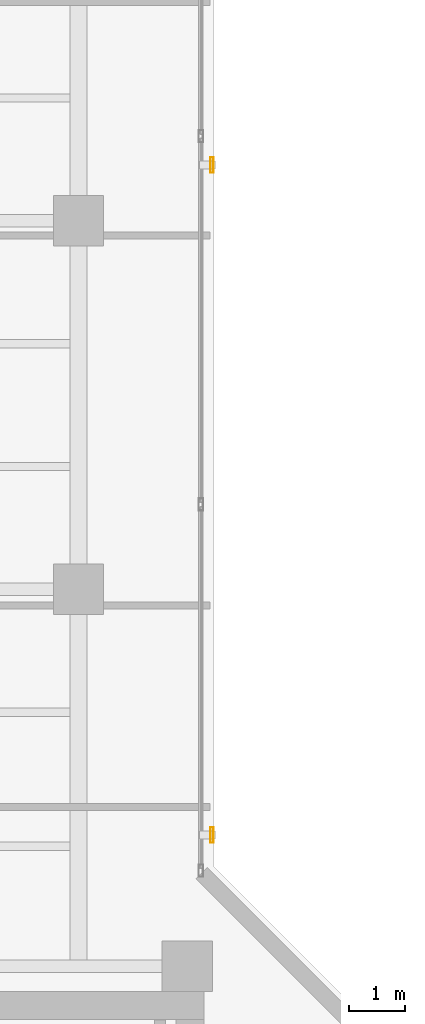
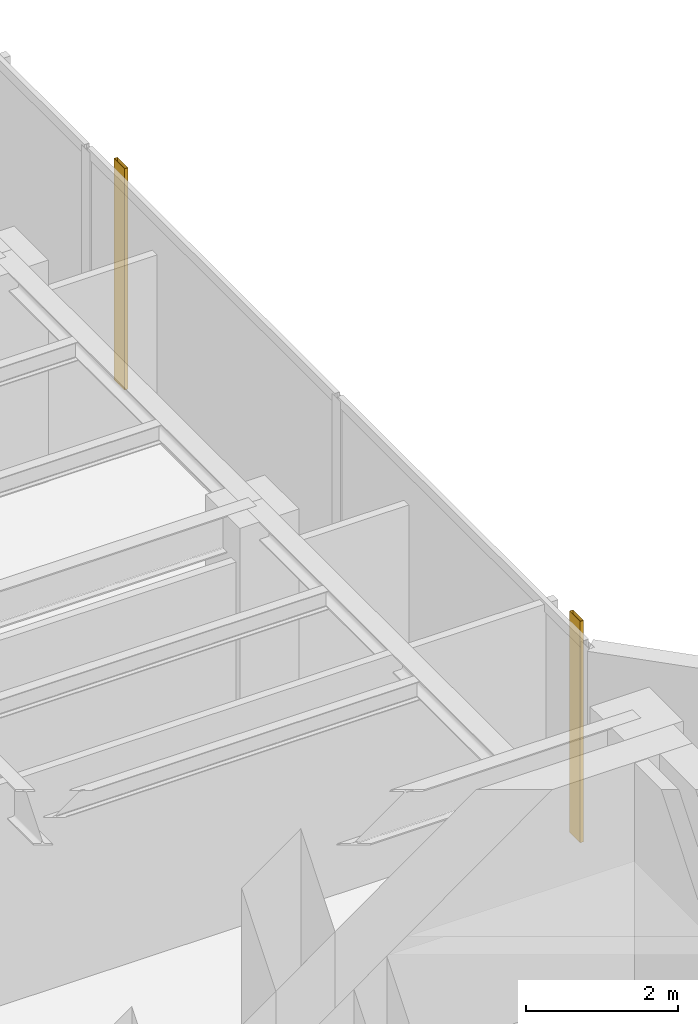
# One storey, part 22 of 22: 2 shading devices.
"""IFC4 building model written with IfcOpenShell, lengths in metres."""

from ifc_helpers import new_model, si_unit, direction, frame, origin, origin_2d, place, context, subcontext, project, spatial, hollow_rectangle, extrude, material, material_profile, profile_set, type_object, element, save


model = new_model("IFC4")

# Units and contexts
model_context = context("Model", 3, precision=1e-05, world=origin(), true_north=direction((0.0, 1.0)))
body_context = subcontext(model_context, "Body", "Model", "MODEL_VIEW")
ifc_project = project(units=[si_unit("LENGTHUNIT", "METRE"), si_unit("AREAUNIT", "SQUARE_METRE"), si_unit("VOLUMEUNIT", "CUBIC_METRE"), si_unit("PLANEANGLEUNIT", "RADIAN"), si_unit("MASSUNIT", "GRAM", prefix="KILO")], contexts=[model_context])

# Site, building, storey
site_placement = place(None, origin())
site = spatial("IfcSite", under=ifc_project, at=site_placement, CompositionType="ELEMENT")
building_placement = place(site_placement, origin())
building = spatial("IfcBuilding", under=site, at=building_placement, Name="Kolvaren Waterfront Exchange", CompositionType="ELEMENT")
storey_placement = place(building_placement, frame((0.0, 0.0, 323.60009765625)))
storey = spatial("IfcBuildingStorey", under=building, at=storey_placement, Name="L83", CompositionType="ELEMENT", Elevation=323.60009765625)

# Shading devices
ifc_material = material(Name="Anodised bronze aluminium 6063-T6", Category="aluminium")
ifc_material_profile = material_profile(ifc_material, hollow_rectangle(XDim=0.054931640625, YDim=0.280029296875, WallThickness=0.00439453125, at=origin_2d()), Name="BRZ-FIN-280x55x4.5")
ifc_profile_set = profile_set([ifc_material_profile], Name="Anodised bronze aluminium 6063-T6")
shading_device_type = type_object("IfcShadingDeviceType", Name="ARC-FIN-280", PredefinedType="USERDEFINED", material=ifc_profile_set)
for number, where, z_axis, x_axis, name in (
    (1, (21.191650390625, 26.800048828125, 0.0), (0.0, 0.0, 1.0), (1.0, 0.0, 0.0), "L83 anodised bronze solar shading fin FIN-L83-E2"),
    (2, (21.191650390625, 38.800048828125, 0.0), (0.0, 0.0, 1.0), (1.0, 0.0, 0.0), "L83 anodised bronze solar shading fin FIN-L83-E3"),
):
    element("IfcShadingDevice", number, at=place(storey_placement, frame(where, z_axis=z_axis, x_axis=x_axis)), inside=storey, type_object=shading_device_type, Name=name, ObjectType="SOLAR FIN", PredefinedType="USERDEFINED", context=body_context, shape_type="SweptSolid", body=[
        extrude(hollow_rectangle(XDim=0.054931640625, YDim=0.280029296875, WallThickness=0.00439453125, at=origin_2d()), origin(), (0.0, 0.0, 1.0), 3.559814453125),
    ])

save(model, "model.ifc")
